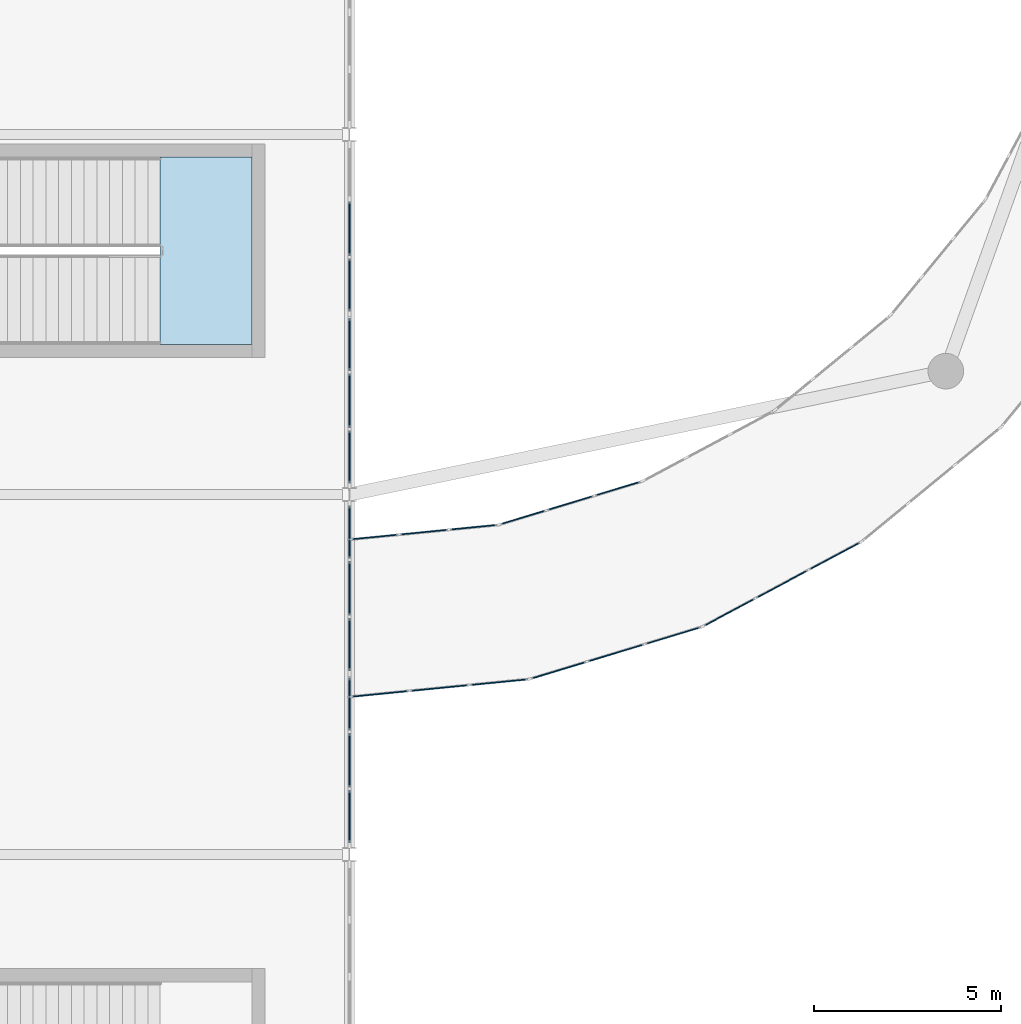
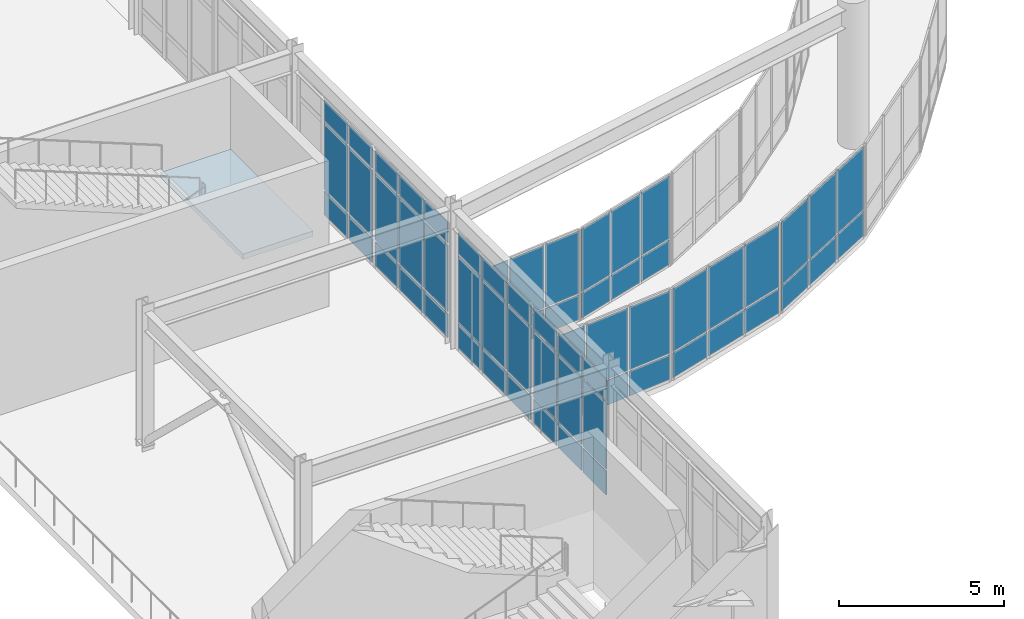
# One storey, part 39 of 72: 63 plates, 1 slab, 10 elements without a shape of their own.
"""IFC4 building model written with IfcOpenShell, lengths in metres."""

from ifc_helpers import new_model, si_unit, direction, frame, origin, origin_2d, place, context, subcontext, project, spatial, polyline, rectangle, outline, extrude, material, layer, layer_set, type_object, element, aggregate, save


model = new_model("IFC4")

# Units and contexts
model_context = context("Model", 3, precision=1e-05, world=origin(), true_north=direction((0.0, 1.0)))
body_context = subcontext(model_context, "Body", "Model", "MODEL_VIEW")
ifc_project = project(units=[si_unit("LENGTHUNIT", "METRE"), si_unit("AREAUNIT", "SQUARE_METRE"), si_unit("VOLUMEUNIT", "CUBIC_METRE"), si_unit("PLANEANGLEUNIT", "RADIAN"), si_unit("MASSUNIT", "GRAM", prefix="KILO")], contexts=[model_context])

# Site, building, storey
site_placement = place(None, origin())
site = spatial("IfcSite", under=ifc_project, at=site_placement, CompositionType="ELEMENT")
building_placement = place(site_placement, origin())
building = spatial("IfcBuilding", under=site, at=building_placement, Name="Veldera Park Congress Hotel", CompositionType="ELEMENT")
storey_placement = place(building_placement, frame((0.0, 0.0, 5.39990234375)))
storey = spatial("IfcBuildingStorey", under=building, at=storey_placement, Name="L01", CompositionType="ELEMENT", Elevation=5.39990234375)

# Curtain wall, plates
ifc_material_1 = material(Name="Low-E Triple Insulating Glass Unit (SHGC 0.22)", Category="glass")
curtain_wall_type_1 = type_object("IfcCurtainWallType", Name="CW-BRG", PredefinedType="NOTDEFINED", material=ifc_material_1)
curtain_wall_1_placement = place(storey_placement, origin())
curtain_wall_1 = element("IfcCurtainWall", 1, at=curtain_wall_1_placement, inside=storey, type_object=curtain_wall_type_1, Name="L01 Curtain Wall CW3-BRGW-L01-A00", PredefinedType="NOTDEFINED")
ifc_layer_1 = layer(ifc_material_1, 0.028076171875)
ifc_layer_set_1 = layer_set([ifc_layer_1], Name="Low-E Triple Insulating Glass Unit (SHGC 0.22)")
plate_type_1 = type_object("IfcPlateType", Name="CWP-IGU28", PredefinedType="CURTAIN_PANEL", material=ifc_layer_set_1)
plate_1_placement = place(storey_placement, frame((-0.78515625, -7.11962890625, 0.06005859375), z_axis=(0.0, 0.0, 1.0), x_axis=(0.995184320963, 0.098021259481, 0.0)))
plate_1 = element("IfcPlate", 2, at=plate_1_placement, type_object=plate_type_1, Name="CW-BRG panel 1.1", PredefinedType="CURTAIN_PANEL", context=body_context, shape_type="SweptSolid", body=[
    extrude(rectangle(XDim=1.517578125, YDim=0.028076171875, at=origin_2d()), origin(), (0.0, 0.0, 1.0), 0.909912109375),
])
plate_2_placement = place(storey_placement, frame((-0.78515625, -7.11962890625, 1.030029296875), z_axis=(0.0, 0.0, 1.0), x_axis=(0.995184320963, 0.098021259481, 0.0)))
plate_2 = element("IfcPlate", 3, at=plate_2_placement, type_object=plate_type_1, Name="CW-BRG panel 1.2", PredefinedType="CURTAIN_PANEL", context=body_context, shape_type="SweptSolid", body=[
    extrude(rectangle(XDim=1.517578125, YDim=0.028076171875, at=origin_2d()), origin(), (0.0, 0.0, 1.0), 2.31005859375),
])
plate_3_placement = place(storey_placement, frame((0.799560546875, -6.963623046875, 0.06005859375), z_axis=(0.0, 0.0, 1.0), x_axis=(0.995184320963, 0.098021259481, 0.0)))
plate_3 = element("IfcPlate", 4, at=plate_3_placement, type_object=plate_type_1, Name="CW-BRG panel 2.1", PredefinedType="CURTAIN_PANEL", context=body_context, shape_type="SweptSolid", body=[
    extrude(rectangle(XDim=1.54736328125, YDim=0.028076171875, at=origin_2d()), origin(), (0.0, 0.0, 1.0), 0.909912109375),
])
plate_4_placement = place(storey_placement, frame((0.799560546875, -6.963623046875, 1.030029296875), z_axis=(0.0, 0.0, 1.0), x_axis=(0.995184320963, 0.098021259481, 0.0)))
plate_4 = element("IfcPlate", 5, at=plate_4_placement, type_object=plate_type_1, Name="CW-BRG panel 2.2", PredefinedType="CURTAIN_PANEL", context=body_context, shape_type="SweptSolid", body=[
    extrude(rectangle(XDim=1.54736328125, YDim=0.028076171875, at=origin_2d()), origin(), (0.0, 0.0, 1.0), 2.31005859375),
])
plate_5_placement = place(storey_placement, frame((2.384521484375, -6.8076171875, 0.06005859375), z_axis=(0.0, 0.0, 1.0), x_axis=(0.995184320963, 0.098021259481, 0.0)))
plate_5 = element("IfcPlate", 6, at=plate_5_placement, type_object=plate_type_1, Name="CW-BRG panel 3.1", PredefinedType="CURTAIN_PANEL", context=body_context, shape_type="SweptSolid", body=[
    extrude(rectangle(XDim=1.517578125, YDim=0.028076171875, at=origin_2d()), origin(), (0.0, 0.0, 1.0), 0.909912109375),
])
plate_6_placement = place(storey_placement, frame((2.384521484375, -6.8076171875, 1.030029296875), z_axis=(0.0, 0.0, 1.0), x_axis=(0.995184320963, 0.098021259481, 0.0)))
plate_6 = element("IfcPlate", 7, at=plate_6_placement, type_object=plate_type_1, Name="CW-BRG panel 3.2", PredefinedType="CURTAIN_PANEL", context=body_context, shape_type="SweptSolid", body=[
    extrude(rectangle(XDim=1.517578125, YDim=0.028076171875, at=origin_2d()), origin(), (0.0, 0.0, 1.0), 2.31005859375),
])
aggregate(curtain_wall_1, [plate_1, plate_2, plate_3, plate_4, plate_5, plate_6])

curtain_wall_2_placement = place(storey_placement, origin())
curtain_wall_2 = element("IfcCurtainWall", 8, at=curtain_wall_2_placement, inside=storey, type_object=curtain_wall_type_1, Name="L01 Curtain Wall CW3-BRGW-L01-A01", PredefinedType="NOTDEFINED")
plate_7_placement = place(storey_placement, frame((3.982666015625, -6.48974609375, 0.06005859375), z_axis=(0.0, 0.0, 1.0), x_axis=(0.956939429957, 0.290287663177, 0.0)))
plate_7 = element("IfcPlate", 9, at=plate_7_placement, type_object=plate_type_1, Name="CW-BRG panel 1.1", PredefinedType="CURTAIN_PANEL", context=body_context, shape_type="SweptSolid", body=[
    extrude(rectangle(XDim=1.517578125, YDim=0.028076171875, at=origin_2d()), origin(), (0.0, 0.0, 1.0), 0.909912109375),
])
plate_8_placement = place(storey_placement, frame((3.982666015625, -6.48974609375, 1.030029296875), z_axis=(0.0, 0.0, 1.0), x_axis=(0.956939429957, 0.290287663177, 0.0)))
plate_8 = element("IfcPlate", 10, at=plate_8_placement, type_object=plate_type_1, Name="CW-BRG panel 1.2", PredefinedType="CURTAIN_PANEL", context=body_context, shape_type="SweptSolid", body=[
    extrude(rectangle(XDim=1.517578125, YDim=0.028076171875, at=origin_2d()), origin(), (0.0, 0.0, 1.0), 2.31005859375),
])
plate_9_placement = place(storey_placement, frame((5.506591796875, -6.02734375, 0.06005859375), z_axis=(0.0, 0.0, 1.0), x_axis=(0.956939429957, 0.290287663177, 0.0)))
plate_9 = element("IfcPlate", 11, at=plate_9_placement, type_object=plate_type_1, Name="CW-BRG panel 2.1", PredefinedType="CURTAIN_PANEL", context=body_context, shape_type="SweptSolid", body=[
    extrude(rectangle(XDim=1.547607421875, YDim=0.028076171875, at=origin_2d()), origin(), (0.0, 0.0, 1.0), 0.909912109375),
])
plate_10_placement = place(storey_placement, frame((5.506591796875, -6.02734375, 1.030029296875), z_axis=(0.0, 0.0, 1.0), x_axis=(0.956939429957, 0.290287663177, 0.0)))
plate_10 = element("IfcPlate", 12, at=plate_10_placement, type_object=plate_type_1, Name="CW-BRG panel 2.2", PredefinedType="CURTAIN_PANEL", context=body_context, shape_type="SweptSolid", body=[
    extrude(rectangle(XDim=1.547607421875, YDim=0.028076171875, at=origin_2d()), origin(), (0.0, 0.0, 1.0), 2.31005859375),
])
plate_11_placement = place(storey_placement, frame((7.030517578125, -5.565185546875, 0.06005859375), z_axis=(0.0, 0.0, 1.0), x_axis=(0.956939429957, 0.290287663177, 0.0)))
plate_11 = element("IfcPlate", 13, at=plate_11_placement, type_object=plate_type_1, Name="CW-BRG panel 3.1", PredefinedType="CURTAIN_PANEL", context=body_context, shape_type="SweptSolid", body=[
    extrude(rectangle(XDim=1.517578125, YDim=0.028076171875, at=origin_2d()), origin(), (0.0, 0.0, 1.0), 0.909912109375),
])
plate_12_placement = place(storey_placement, frame((7.030517578125, -5.565185546875, 1.030029296875), z_axis=(0.0, 0.0, 1.0), x_axis=(0.956939429957, 0.290287663177, 0.0)))
plate_12 = element("IfcPlate", 14, at=plate_12_placement, type_object=plate_type_1, Name="CW-BRG panel 3.2", PredefinedType="CURTAIN_PANEL", context=body_context, shape_type="SweptSolid", body=[
    extrude(rectangle(XDim=1.517578125, YDim=0.028076171875, at=origin_2d()), origin(), (0.0, 0.0, 1.0), 2.31005859375),
])
aggregate(curtain_wall_2, [plate_7, plate_8, plate_9, plate_10, plate_11, plate_12])

curtain_wall_3_placement = place(storey_placement, origin())
curtain_wall_3 = element("IfcCurtainWall", 15, at=curtain_wall_3_placement, inside=storey, type_object=curtain_wall_type_1, Name="L01 Curtain Wall CW3-BRGW-L01-A02", PredefinedType="NOTDEFINED")
plate_13_placement = place(storey_placement, frame((8.5361328125, -4.94140625, 0.06005859375), z_axis=(0.0, 0.0, 1.0), x_axis=(0.881927804203, 0.471384501415, 0.0)))
plate_13 = element("IfcPlate", 16, at=plate_13_placement, type_object=plate_type_1, Name="CW-BRG panel 1.1", PredefinedType="CURTAIN_PANEL", context=body_context, shape_type="SweptSolid", body=[
    extrude(rectangle(XDim=1.517578125, YDim=0.028076171875, at=origin_2d()), origin(), (0.0, 0.0, 1.0), 0.909912109375),
])
plate_14_placement = place(storey_placement, frame((8.5361328125, -4.94140625, 1.030029296875), z_axis=(0.0, 0.0, 1.0), x_axis=(0.881927804203, 0.471384501415, 0.0)))
plate_14 = element("IfcPlate", 17, at=plate_14_placement, type_object=plate_type_1, Name="CW-BRG panel 1.2", PredefinedType="CURTAIN_PANEL", context=body_context, shape_type="SweptSolid", body=[
    extrude(rectangle(XDim=1.517578125, YDim=0.028076171875, at=origin_2d()), origin(), (0.0, 0.0, 1.0), 2.31005859375),
])
plate_15_placement = place(storey_placement, frame((9.9404296875, -4.19091796875, 0.06005859375), z_axis=(0.0, 0.0, 1.0), x_axis=(0.881927804203, 0.471384501415, 0.0)))
plate_15 = element("IfcPlate", 18, at=plate_15_placement, type_object=plate_type_1, Name="CW-BRG panel 2.1", PredefinedType="CURTAIN_PANEL", context=body_context, shape_type="SweptSolid", body=[
    extrude(rectangle(XDim=1.54736328125, YDim=0.028076171875, at=origin_2d()), origin(), (0.0, 0.0, 1.0), 0.909912109375),
])
plate_16_placement = place(storey_placement, frame((9.9404296875, -4.19091796875, 1.030029296875), z_axis=(0.0, 0.0, 1.0), x_axis=(0.881927804203, 0.471384501415, 0.0)))
plate_16 = element("IfcPlate", 19, at=plate_16_placement, type_object=plate_type_1, Name="CW-BRG panel 2.2", PredefinedType="CURTAIN_PANEL", context=body_context, shape_type="SweptSolid", body=[
    extrude(rectangle(XDim=1.54736328125, YDim=0.028076171875, at=origin_2d()), origin(), (0.0, 0.0, 1.0), 2.31005859375),
])
plate_17_placement = place(storey_placement, frame((11.344970703125, -3.440185546875, 0.06005859375), z_axis=(0.0, 0.0, 1.0), x_axis=(0.881927804203, 0.471384501415, 0.0)))
plate_17 = element("IfcPlate", 20, at=plate_17_placement, type_object=plate_type_1, Name="CW-BRG panel 3.1", PredefinedType="CURTAIN_PANEL", context=body_context, shape_type="SweptSolid", body=[
    extrude(rectangle(XDim=1.517578125, YDim=0.028076171875, at=origin_2d()), origin(), (0.0, 0.0, 1.0), 0.909912109375),
])
plate_18_placement = place(storey_placement, frame((11.344970703125, -3.440185546875, 1.030029296875), z_axis=(0.0, 0.0, 1.0), x_axis=(0.881927804203, 0.471384501415, 0.0)))
plate_18 = element("IfcPlate", 21, at=plate_18_placement, type_object=plate_type_1, Name="CW-BRG panel 3.2", PredefinedType="CURTAIN_PANEL", context=body_context, shape_type="SweptSolid", body=[
    extrude(rectangle(XDim=1.517578125, YDim=0.028076171875, at=origin_2d()), origin(), (0.0, 0.0, 1.0), 2.31005859375),
])
aggregate(curtain_wall_3, [plate_13, plate_14, plate_15, plate_16, plate_17, plate_18])

curtain_wall_4_placement = place(storey_placement, origin())
curtain_wall_4 = element("IfcCurtainWall", 22, at=curtain_wall_4_placement, inside=storey, type_object=curtain_wall_type_1, Name="L01 Curtain Wall CW3-BRGW-L01-B15", PredefinedType="NOTDEFINED")
plate_19_placement = place(storey_placement, frame((5.554443359375, -1.64501953125, 0.06005859375), z_axis=(0.0, 0.0, 1.0), x_axis=(-0.956938767513, -0.290289846929, 0.0)))
plate_19 = element("IfcPlate", 23, at=plate_19_placement, type_object=plate_type_1, Name="CW-BRG panel 1.1", PredefinedType="CURTAIN_PANEL", context=body_context, shape_type="SweptSolid", body=[
    extrude(rectangle(XDim=1.242919921875, YDim=0.028076171875, at=origin_2d()), origin(), (0.0, 0.0, 1.0), 0.909912109375),
])
plate_20_placement = place(storey_placement, frame((5.554443359375, -1.64501953125, 1.030029296875), z_axis=(0.0, 0.0, 1.0), x_axis=(-0.956938767513, -0.290289846929, 0.0)))
plate_20 = element("IfcPlate", 24, at=plate_20_placement, type_object=plate_type_1, Name="CW-BRG panel 1.2", PredefinedType="CURTAIN_PANEL", context=body_context, shape_type="SweptSolid", body=[
    extrude(rectangle(XDim=1.242919921875, YDim=0.028076171875, at=origin_2d()), origin(), (0.0, 0.0, 1.0), 2.31005859375),
])
plate_21_placement = place(storey_placement, frame((4.293212890625, -2.027587890625, 0.06005859375), z_axis=(0.0, 0.0, 1.0), x_axis=(-0.956938767513, -0.290289846929, 0.0)))
plate_21 = element("IfcPlate", 25, at=plate_21_placement, type_object=plate_type_1, Name="CW-BRG panel 2.1", PredefinedType="CURTAIN_PANEL", context=body_context, shape_type="SweptSolid", body=[
    extrude(rectangle(XDim=1.27294921875, YDim=0.028076171875, at=origin_2d()), origin(), (0.0, 0.0, 1.0), 0.909912109375),
])
plate_22_placement = place(storey_placement, frame((4.293212890625, -2.027587890625, 1.030029296875), z_axis=(0.0, 0.0, 1.0), x_axis=(-0.956938767513, -0.290289846929, 0.0)))
plate_22 = element("IfcPlate", 26, at=plate_22_placement, type_object=plate_type_1, Name="CW-BRG panel 2.2", PredefinedType="CURTAIN_PANEL", context=body_context, shape_type="SweptSolid", body=[
    extrude(rectangle(XDim=1.27294921875, YDim=0.028076171875, at=origin_2d()), origin(), (0.0, 0.0, 1.0), 2.31005859375),
])
plate_23_placement = place(storey_placement, frame((3.031982421875, -2.41015625, 0.06005859375), z_axis=(0.0, 0.0, 1.0), x_axis=(-0.956938767513, -0.290289846929, 0.0)))
plate_23 = element("IfcPlate", 27, at=plate_23_placement, type_object=plate_type_1, Name="CW-BRG panel 3.1", PredefinedType="CURTAIN_PANEL", context=body_context, shape_type="SweptSolid", body=[
    extrude(rectangle(XDim=1.242919921875, YDim=0.028076171875, at=origin_2d()), origin(), (0.0, 0.0, 1.0), 0.909912109375),
])
plate_24_placement = place(storey_placement, frame((3.031982421875, -2.41015625, 1.030029296875), z_axis=(0.0, 0.0, 1.0), x_axis=(-0.956938767513, -0.290289846929, 0.0)))
plate_24 = element("IfcPlate", 28, at=plate_24_placement, type_object=plate_type_1, Name="CW-BRG panel 3.2", PredefinedType="CURTAIN_PANEL", context=body_context, shape_type="SweptSolid", body=[
    extrude(rectangle(XDim=1.242919921875, YDim=0.028076171875, at=origin_2d()), origin(), (0.0, 0.0, 1.0), 2.31005859375),
])
aggregate(curtain_wall_4, [plate_19, plate_20, plate_21, plate_22, plate_23, plate_24])

curtain_wall_5_placement = place(storey_placement, origin())
curtain_wall_5 = element("IfcCurtainWall", 29, at=curtain_wall_5_placement, inside=storey, type_object=curtain_wall_type_1, Name="L01 Curtain Wall CW3-BRGW-L01-B16", PredefinedType="NOTDEFINED")
plate_25_placement = place(storey_placement, frame((1.70166015625, -2.6748046875, 0.06005859375), z_axis=(0.0, 0.0, 1.0), x_axis=(-0.99518414337, -0.098023062513, 0.0)))
plate_25 = element("IfcPlate", 30, at=plate_25_placement, type_object=plate_type_1, Name="CW-BRG panel 1.1", PredefinedType="CURTAIN_PANEL", context=body_context, shape_type="SweptSolid", body=[
    extrude(rectangle(XDim=1.242919921875, YDim=0.028076171875, at=origin_2d()), origin(), (0.0, 0.0, 1.0), 0.909912109375),
])
plate_26_placement = place(storey_placement, frame((1.70166015625, -2.6748046875, 1.030029296875), z_axis=(0.0, 0.0, 1.0), x_axis=(-0.99518414337, -0.098023062513, 0.0)))
plate_26 = element("IfcPlate", 31, at=plate_26_placement, type_object=plate_type_1, Name="CW-BRG panel 1.2", PredefinedType="CURTAIN_PANEL", context=body_context, shape_type="SweptSolid", body=[
    extrude(rectangle(XDim=1.242919921875, YDim=0.028076171875, at=origin_2d()), origin(), (0.0, 0.0, 1.0), 2.31005859375),
])
plate_27_placement = place(storey_placement, frame((0.389892578125, -2.803955078125, 0.06005859375), z_axis=(0.0, 0.0, 1.0), x_axis=(-0.99518414337, -0.098023062513, 0.0)))
plate_27 = element("IfcPlate", 32, at=plate_27_placement, type_object=plate_type_1, Name="CW-BRG panel 2.1", PredefinedType="CURTAIN_PANEL", context=body_context, shape_type="SweptSolid", body=[
    extrude(rectangle(XDim=1.27294921875, YDim=0.028076171875, at=origin_2d()), origin(), (0.0, 0.0, 1.0), 0.909912109375),
])
plate_28_placement = place(storey_placement, frame((0.389892578125, -2.803955078125, 1.030029296875), z_axis=(0.0, 0.0, 1.0), x_axis=(-0.99518414337, -0.098023062513, 0.0)))
plate_28 = element("IfcPlate", 33, at=plate_28_placement, type_object=plate_type_1, Name="CW-BRG panel 2.2", PredefinedType="CURTAIN_PANEL", context=body_context, shape_type="SweptSolid", body=[
    extrude(rectangle(XDim=1.27294921875, YDim=0.028076171875, at=origin_2d()), origin(), (0.0, 0.0, 1.0), 2.31005859375),
])
plate_29_placement = place(storey_placement, frame((-0.921875, -2.93310546875, 0.06005859375), z_axis=(0.0, 0.0, 1.0), x_axis=(-0.99518414337, -0.098023062513, 0.0)))
plate_29 = element("IfcPlate", 34, at=plate_29_placement, type_object=plate_type_1, Name="CW-BRG panel 3.1", PredefinedType="CURTAIN_PANEL", context=body_context, shape_type="SweptSolid", body=[
    extrude(rectangle(XDim=1.242919921875, YDim=0.028076171875, at=origin_2d()), origin(), (0.0, 0.0, 1.0), 0.909912109375),
])
plate_30_placement = place(storey_placement, frame((-0.921875, -2.93310546875, 1.030029296875), z_axis=(0.0, 0.0, 1.0), x_axis=(-0.99518414337, -0.098023062513, 0.0)))
plate_30 = element("IfcPlate", 35, at=plate_30_placement, type_object=plate_type_1, Name="CW-BRG panel 3.2", PredefinedType="CURTAIN_PANEL", context=body_context, shape_type="SweptSolid", body=[
    extrude(rectangle(XDim=1.242919921875, YDim=0.028076171875, at=origin_2d()), origin(), (0.0, 0.0, 1.0), 2.31005859375),
])
aggregate(curtain_wall_5, [plate_25, plate_26, plate_27, plate_28, plate_29, plate_30])

curtain_wall_type_2 = type_object("IfcCurtainWallType", Name="CW-POD", PredefinedType="NOTDEFINED", material=ifc_material_1)
curtain_wall_6_placement = place(storey_placement, origin())
curtain_wall_6 = element("IfcCurtainWall", 36, at=curtain_wall_6_placement, inside=storey, type_object=curtain_wall_type_2, Name="L01 Curtain Wall CW3-V1E-L01-023", PredefinedType="NOTDEFINED")
ifc_layer_2 = layer(ifc_material_1, 0.035888671875)
ifc_layer_set_2 = layer_set([ifc_layer_2], Name="Low-E Triple Insulating Glass Unit (SHGC 0.22)")
plate_type_2 = type_object("IfcPlateType", Name="CWP-IGU36", PredefinedType="CURTAIN_PANEL", material=ifc_layer_set_2)
plate_31_placement = place(storey_placement, frame((-1.60009765625, -10.394287109375, 0.080078125), z_axis=(0.0, 0.0, 1.0), x_axis=(0.0, 1.0, 0.0)))
plate_31 = element("IfcPlate", 37, at=plate_31_placement, type_object=plate_type_2, Name="CW-POD panel 1.1", PredefinedType="CURTAIN_PANEL", context=body_context, shape_type="SweptSolid", body=[
    extrude(rectangle(XDim=1.399658203125, YDim=0.035888671875, at=origin_2d()), origin(), (0.0, 0.0, 1.0), 0.8798828125),
])
plate_32_placement = place(storey_placement, frame((-1.60009765625, -10.394287109375, 1.0400390625), z_axis=(0.0, 0.0, 1.0), x_axis=(0.0, 1.0, 0.0)))
plate_32 = element("IfcPlate", 38, at=plate_32_placement, type_object=plate_type_2, Name="CW-POD panel 1.2", PredefinedType="CURTAIN_PANEL", context=body_context, shape_type="SweptSolid", body=[
    extrude(rectangle(XDim=1.399658203125, YDim=0.035888671875, at=origin_2d()), origin(), (0.0, 0.0, 1.0), 2.451904296875),
])
plate_33_placement = place(storey_placement, frame((-1.60009765625, -10.394287109375, 3.572265625), z_axis=(0.0, 0.0, 1.0), x_axis=(0.0, 1.0, 0.0)))
plate_33 = element("IfcPlate", 39, at=plate_33_placement, type_object=plate_type_2, Name="CW-POD panel 1.3", PredefinedType="CURTAIN_PANEL", context=body_context, shape_type="SweptSolid", body=[
    extrude(rectangle(XDim=1.399658203125, YDim=0.035888671875, at=origin_2d()), origin(), (0.0, 0.0, 1.0), 0.780029296875),
])
plate_34_placement = place(storey_placement, frame((-1.60009765625, -8.89453125, 0.080078125), z_axis=(0.0, 0.0, 1.0), x_axis=(0.0, 1.0, 0.0)))
plate_34 = element("IfcPlate", 40, at=plate_34_placement, type_object=plate_type_2, Name="CW-POD panel 2.1", PredefinedType="CURTAIN_PANEL", context=body_context, shape_type="SweptSolid", body=[
    extrude(rectangle(XDim=1.439697265625, YDim=0.035888671875, at=origin_2d()), origin(), (0.0, 0.0, 1.0), 0.8798828125),
])
plate_35_placement = place(storey_placement, frame((-1.60009765625, -8.89453125, 1.0400390625), z_axis=(0.0, 0.0, 1.0), x_axis=(0.0, 1.0, 0.0)))
plate_35 = element("IfcPlate", 41, at=plate_35_placement, type_object=plate_type_2, Name="CW-POD panel 2.2", PredefinedType="CURTAIN_PANEL", context=body_context, shape_type="SweptSolid", body=[
    extrude(rectangle(XDim=1.439697265625, YDim=0.035888671875, at=origin_2d()), origin(), (0.0, 0.0, 1.0), 2.451904296875),
])
plate_36_placement = place(storey_placement, frame((-1.60009765625, -8.89453125, 3.572265625), z_axis=(0.0, 0.0, 1.0), x_axis=(0.0, 1.0, 0.0)))
plate_36 = element("IfcPlate", 42, at=plate_36_placement, type_object=plate_type_2, Name="CW-POD panel 2.3", PredefinedType="CURTAIN_PANEL", context=body_context, shape_type="SweptSolid", body=[
    extrude(rectangle(XDim=1.439697265625, YDim=0.035888671875, at=origin_2d()), origin(), (0.0, 0.0, 1.0), 0.780029296875),
])
plate_37_placement = place(storey_placement, frame((-1.60009765625, -7.394775390625, 0.080078125), z_axis=(0.0, 0.0, 1.0), x_axis=(0.0, 1.0, 0.0)))
plate_37 = element("IfcPlate", 43, at=plate_37_placement, type_object=plate_type_2, Name="CW-POD panel 3.1", PredefinedType="CURTAIN_PANEL", context=body_context, shape_type="SweptSolid", body=[
    extrude(rectangle(XDim=1.399658203125, YDim=0.035888671875, at=origin_2d()), origin(), (0.0, 0.0, 1.0), 0.8798828125),
])
plate_38_placement = place(storey_placement, frame((-1.60009765625, -7.394775390625, 1.0400390625), z_axis=(0.0, 0.0, 1.0), x_axis=(0.0, 1.0, 0.0)))
plate_38 = element("IfcPlate", 44, at=plate_38_placement, type_object=plate_type_2, Name="CW-POD panel 3.2", PredefinedType="CURTAIN_PANEL", context=body_context, shape_type="SweptSolid", body=[
    extrude(rectangle(XDim=1.399658203125, YDim=0.035888671875, at=origin_2d()), origin(), (0.0, 0.0, 1.0), 2.451904296875),
])
plate_39_placement = place(storey_placement, frame((-1.60009765625, -7.394775390625, 3.572265625), z_axis=(0.0, 0.0, 1.0), x_axis=(0.0, 1.0, 0.0)))
plate_39 = element("IfcPlate", 45, at=plate_39_placement, type_object=plate_type_2, Name="CW-POD panel 3.3", PredefinedType="CURTAIN_PANEL", context=body_context, shape_type="SweptSolid", body=[
    extrude(rectangle(XDim=1.399658203125, YDim=0.035888671875, at=origin_2d()), origin(), (0.0, 0.0, 1.0), 0.780029296875),
])
aggregate(curtain_wall_6, [plate_31, plate_32, plate_33, plate_34, plate_35, plate_36, plate_37, plate_38, plate_39])

curtain_wall_7_placement = place(storey_placement, origin())
curtain_wall_7 = element("IfcCurtainWall", 46, at=curtain_wall_7_placement, inside=storey, type_object=curtain_wall_type_2, Name="L01 Curtain Wall CW3-V1E-L01-024", PredefinedType="NOTDEFINED")
plate_40_placement = place(storey_placement, frame((-1.60009765625, -5.80517578125, 0.080078125), z_axis=(0.0, 0.0, 1.0), x_axis=(0.0, 1.0, 0.0)))
plate_40 = element("IfcPlate", 47, at=plate_40_placement, type_object=plate_type_2, Name="CW-POD panel 1.1", PredefinedType="CURTAIN_PANEL", context=body_context, shape_type="SweptSolid", body=[
    extrude(rectangle(XDim=1.399658203125, YDim=0.035888671875, at=origin_2d()), origin(), (0.0, 0.0, 1.0), 0.8798828125),
])
plate_41_placement = place(storey_placement, frame((-1.60009765625, -5.80517578125, 1.0400390625), z_axis=(0.0, 0.0, 1.0), x_axis=(0.0, 1.0, 0.0)))
plate_41 = element("IfcPlate", 48, at=plate_41_placement, type_object=plate_type_2, Name="CW-POD panel 1.2", PredefinedType="CURTAIN_PANEL", context=body_context, shape_type="SweptSolid", body=[
    extrude(rectangle(XDim=1.399658203125, YDim=0.035888671875, at=origin_2d()), origin(), (0.0, 0.0, 1.0), 2.451904296875),
])
plate_42_placement = place(storey_placement, frame((-1.60009765625, -5.80517578125, 3.572265625), z_axis=(0.0, 0.0, 1.0), x_axis=(0.0, 1.0, 0.0)))
plate_42 = element("IfcPlate", 49, at=plate_42_placement, type_object=plate_type_2, Name="CW-POD panel 1.3", PredefinedType="CURTAIN_PANEL", context=body_context, shape_type="SweptSolid", body=[
    extrude(rectangle(XDim=1.399658203125, YDim=0.035888671875, at=origin_2d()), origin(), (0.0, 0.0, 1.0), 0.780029296875),
])
plate_43_placement = place(storey_placement, frame((-1.60009765625, -4.305419921875, 0.080078125), z_axis=(0.0, 0.0, 1.0), x_axis=(0.0, 1.0, 0.0)))
plate_43 = element("IfcPlate", 50, at=plate_43_placement, type_object=plate_type_2, Name="CW-POD panel 2.1", PredefinedType="CURTAIN_PANEL", context=body_context, shape_type="SweptSolid", body=[
    extrude(rectangle(XDim=1.439697265625, YDim=0.035888671875, at=origin_2d()), origin(), (0.0, 0.0, 1.0), 0.8798828125),
])
plate_44_placement = place(storey_placement, frame((-1.60009765625, -4.305419921875, 1.0400390625), z_axis=(0.0, 0.0, 1.0), x_axis=(0.0, 1.0, 0.0)))
plate_44 = element("IfcPlate", 51, at=plate_44_placement, type_object=plate_type_2, Name="CW-POD panel 2.2", PredefinedType="CURTAIN_PANEL", context=body_context, shape_type="SweptSolid", body=[
    extrude(rectangle(XDim=1.439697265625, YDim=0.035888671875, at=origin_2d()), origin(), (0.0, 0.0, 1.0), 2.451904296875),
])
plate_45_placement = place(storey_placement, frame((-1.60009765625, -4.305419921875, 3.572265625), z_axis=(0.0, 0.0, 1.0), x_axis=(0.0, 1.0, 0.0)))
plate_45 = element("IfcPlate", 52, at=plate_45_placement, type_object=plate_type_2, Name="CW-POD panel 2.3", PredefinedType="CURTAIN_PANEL", context=body_context, shape_type="SweptSolid", body=[
    extrude(rectangle(XDim=1.439697265625, YDim=0.035888671875, at=origin_2d()), origin(), (0.0, 0.0, 1.0), 0.780029296875),
])
plate_46_placement = place(storey_placement, frame((-1.60009765625, -2.805908203125, 0.080078125), z_axis=(0.0, 0.0, 1.0), x_axis=(0.0, 1.0, 0.0)))
plate_46 = element("IfcPlate", 53, at=plate_46_placement, type_object=plate_type_2, Name="CW-POD panel 3.1", PredefinedType="CURTAIN_PANEL", context=body_context, shape_type="SweptSolid", body=[
    extrude(rectangle(XDim=1.399658203125, YDim=0.035888671875, at=origin_2d()), origin(), (0.0, 0.0, 1.0), 0.8798828125),
])
plate_47_placement = place(storey_placement, frame((-1.60009765625, -2.805908203125, 1.0400390625), z_axis=(0.0, 0.0, 1.0), x_axis=(0.0, 1.0, 0.0)))
plate_47 = element("IfcPlate", 54, at=plate_47_placement, type_object=plate_type_2, Name="CW-POD panel 3.2", PredefinedType="CURTAIN_PANEL", context=body_context, shape_type="SweptSolid", body=[
    extrude(rectangle(XDim=1.399658203125, YDim=0.035888671875, at=origin_2d()), origin(), (0.0, 0.0, 1.0), 2.451904296875),
])
plate_48_placement = place(storey_placement, frame((-1.60009765625, -2.805908203125, 3.572265625), z_axis=(0.0, 0.0, 1.0), x_axis=(0.0, 1.0, 0.0)))
plate_48 = element("IfcPlate", 55, at=plate_48_placement, type_object=plate_type_2, Name="CW-POD panel 3.3", PredefinedType="CURTAIN_PANEL", context=body_context, shape_type="SweptSolid", body=[
    extrude(rectangle(XDim=1.399658203125, YDim=0.035888671875, at=origin_2d()), origin(), (0.0, 0.0, 1.0), 0.780029296875),
])
aggregate(curtain_wall_7, [plate_40, plate_41, plate_42, plate_43, plate_44, plate_45, plate_46, plate_47, plate_48])

curtain_wall_8_placement = place(storey_placement, origin())
curtain_wall_8 = element("IfcCurtainWall", 56, at=curtain_wall_8_placement, inside=storey, type_object=curtain_wall_type_2, Name="L01 Curtain Wall CW3-V1E-L01-025", PredefinedType="NOTDEFINED")
plate_49_placement = place(storey_placement, frame((-1.60009765625, -0.794189453125, 0.080078125), z_axis=(0.0, 0.0, 1.0), x_axis=(0.0, 1.0, 0.0)))
plate_49 = element("IfcPlate", 57, at=plate_49_placement, type_object=plate_type_2, Name="CW-POD panel 1.1", PredefinedType="CURTAIN_PANEL", context=body_context, shape_type="SweptSolid", body=[
    extrude(rectangle(XDim=1.399658203125, YDim=0.035888671875, at=origin_2d()), origin(), (0.0, 0.0, 1.0), 0.8798828125),
])
plate_50_placement = place(storey_placement, frame((-1.60009765625, -0.794189453125, 1.0400390625), z_axis=(0.0, 0.0, 1.0), x_axis=(0.0, 1.0, 0.0)))
plate_50 = element("IfcPlate", 58, at=plate_50_placement, type_object=plate_type_2, Name="CW-POD panel 1.2", PredefinedType="CURTAIN_PANEL", context=body_context, shape_type="SweptSolid", body=[
    extrude(rectangle(XDim=1.399658203125, YDim=0.035888671875, at=origin_2d()), origin(), (0.0, 0.0, 1.0), 2.451904296875),
])
plate_51_placement = place(storey_placement, frame((-1.60009765625, -0.794189453125, 3.572265625), z_axis=(0.0, 0.0, 1.0), x_axis=(0.0, 1.0, 0.0)))
plate_51 = element("IfcPlate", 59, at=plate_51_placement, type_object=plate_type_2, Name="CW-POD panel 1.3", PredefinedType="CURTAIN_PANEL", context=body_context, shape_type="SweptSolid", body=[
    extrude(rectangle(XDim=1.399658203125, YDim=0.035888671875, at=origin_2d()), origin(), (0.0, 0.0, 1.0), 0.780029296875),
])
plate_52_placement = place(storey_placement, frame((-1.60009765625, 0.70556640625, 0.080078125), z_axis=(0.0, 0.0, 1.0), x_axis=(0.0, 1.0, 0.0)))
plate_52 = element("IfcPlate", 60, at=plate_52_placement, type_object=plate_type_2, Name="CW-POD panel 2.1", PredefinedType="CURTAIN_PANEL", context=body_context, shape_type="SweptSolid", body=[
    extrude(rectangle(XDim=1.439697265625, YDim=0.035888671875, at=origin_2d()), origin(), (0.0, 0.0, 1.0), 0.8798828125),
])
plate_53_placement = place(storey_placement, frame((-1.60009765625, 0.70556640625, 1.0400390625), z_axis=(0.0, 0.0, 1.0), x_axis=(0.0, 1.0, 0.0)))
plate_53 = element("IfcPlate", 61, at=plate_53_placement, type_object=plate_type_2, Name="CW-POD panel 2.2", PredefinedType="CURTAIN_PANEL", context=body_context, shape_type="SweptSolid", body=[
    extrude(rectangle(XDim=1.439697265625, YDim=0.035888671875, at=origin_2d()), origin(), (0.0, 0.0, 1.0), 2.451904296875),
])
plate_54_placement = place(storey_placement, frame((-1.60009765625, 0.70556640625, 3.572265625), z_axis=(0.0, 0.0, 1.0), x_axis=(0.0, 1.0, 0.0)))
plate_54 = element("IfcPlate", 62, at=plate_54_placement, type_object=plate_type_2, Name="CW-POD panel 2.3", PredefinedType="CURTAIN_PANEL", context=body_context, shape_type="SweptSolid", body=[
    extrude(rectangle(XDim=1.439697265625, YDim=0.035888671875, at=origin_2d()), origin(), (0.0, 0.0, 1.0), 0.780029296875),
])
plate_55_placement = place(storey_placement, frame((-1.60009765625, 2.205078125, 0.080078125), z_axis=(0.0, 0.0, 1.0), x_axis=(0.0, 1.0, 0.0)))
plate_55 = element("IfcPlate", 63, at=plate_55_placement, type_object=plate_type_2, Name="CW-POD panel 3.1", PredefinedType="CURTAIN_PANEL", context=body_context, shape_type="SweptSolid", body=[
    extrude(rectangle(XDim=1.399658203125, YDim=0.035888671875, at=origin_2d()), origin(), (0.0, 0.0, 1.0), 0.8798828125),
])
plate_56_placement = place(storey_placement, frame((-1.60009765625, 2.205078125, 1.0400390625), z_axis=(0.0, 0.0, 1.0), x_axis=(0.0, 1.0, 0.0)))
plate_56 = element("IfcPlate", 64, at=plate_56_placement, type_object=plate_type_2, Name="CW-POD panel 3.2", PredefinedType="CURTAIN_PANEL", context=body_context, shape_type="SweptSolid", body=[
    extrude(rectangle(XDim=1.399658203125, YDim=0.035888671875, at=origin_2d()), origin(), (0.0, 0.0, 1.0), 2.451904296875),
])
plate_57_placement = place(storey_placement, frame((-1.60009765625, 2.205078125, 3.572265625), z_axis=(0.0, 0.0, 1.0), x_axis=(0.0, 1.0, 0.0)))
plate_57 = element("IfcPlate", 65, at=plate_57_placement, type_object=plate_type_2, Name="CW-POD panel 3.3", PredefinedType="CURTAIN_PANEL", context=body_context, shape_type="SweptSolid", body=[
    extrude(rectangle(XDim=1.399658203125, YDim=0.035888671875, at=origin_2d()), origin(), (0.0, 0.0, 1.0), 0.780029296875),
])
aggregate(curtain_wall_8, [plate_49, plate_50, plate_51, plate_52, plate_53, plate_54, plate_55, plate_56, plate_57])

curtain_wall_9_placement = place(storey_placement, origin())
curtain_wall_9 = element("IfcCurtainWall", 66, at=curtain_wall_9_placement, inside=storey, type_object=curtain_wall_type_2, Name="L01 Curtain Wall CW3-V1E-L01-026", PredefinedType="NOTDEFINED")
plate_58_placement = place(storey_placement, frame((-1.60009765625, 3.794921875, 0.080078125), z_axis=(0.0, 0.0, 1.0), x_axis=(0.0, 1.0, 0.0)))
plate_58 = element("IfcPlate", 67, at=plate_58_placement, type_object=plate_type_2, Name="CW-POD panel 1.1", PredefinedType="CURTAIN_PANEL", context=body_context, shape_type="SweptSolid", body=[
    extrude(rectangle(XDim=1.399658203125, YDim=0.035888671875, at=origin_2d()), origin(), (0.0, 0.0, 1.0), 0.8798828125),
])
plate_59_placement = place(storey_placement, frame((-1.60009765625, 3.794921875, 1.0400390625), z_axis=(0.0, 0.0, 1.0), x_axis=(0.0, 1.0, 0.0)))
plate_59 = element("IfcPlate", 68, at=plate_59_placement, type_object=plate_type_2, Name="CW-POD panel 1.2", PredefinedType="CURTAIN_PANEL", context=body_context, shape_type="SweptSolid", body=[
    extrude(rectangle(XDim=1.399658203125, YDim=0.035888671875, at=origin_2d()), origin(), (0.0, 0.0, 1.0), 2.451904296875),
])
plate_60_placement = place(storey_placement, frame((-1.60009765625, 3.794921875, 3.572265625), z_axis=(0.0, 0.0, 1.0), x_axis=(0.0, 1.0, 0.0)))
plate_60 = element("IfcPlate", 69, at=plate_60_placement, type_object=plate_type_2, Name="CW-POD panel 1.3", PredefinedType="CURTAIN_PANEL", context=body_context, shape_type="SweptSolid", body=[
    extrude(rectangle(XDim=1.399658203125, YDim=0.035888671875, at=origin_2d()), origin(), (0.0, 0.0, 1.0), 0.780029296875),
])
plate_61_placement = place(storey_placement, frame((-1.60009765625, 5.29443359375, 0.080078125), z_axis=(0.0, 0.0, 1.0), x_axis=(0.0, 1.0, 0.0)))
plate_61 = element("IfcPlate", 70, at=plate_61_placement, type_object=plate_type_2, Name="CW-POD panel 2.1", PredefinedType="CURTAIN_PANEL", context=body_context, shape_type="SweptSolid", body=[
    extrude(rectangle(XDim=1.439697265625, YDim=0.035888671875, at=origin_2d()), origin(), (0.0, 0.0, 1.0), 0.8798828125),
])
plate_62_placement = place(storey_placement, frame((-1.60009765625, 5.29443359375, 1.0400390625), z_axis=(0.0, 0.0, 1.0), x_axis=(0.0, 1.0, 0.0)))
plate_62 = element("IfcPlate", 71, at=plate_62_placement, type_object=plate_type_2, Name="CW-POD panel 2.2", PredefinedType="CURTAIN_PANEL", context=body_context, shape_type="SweptSolid", body=[
    extrude(rectangle(XDim=1.439697265625, YDim=0.035888671875, at=origin_2d()), origin(), (0.0, 0.0, 1.0), 2.451904296875),
])
plate_63_placement = place(storey_placement, frame((-1.60009765625, 5.29443359375, 3.572265625), z_axis=(0.0, 0.0, 1.0), x_axis=(0.0, 1.0, 0.0)))
plate_63 = element("IfcPlate", 72, at=plate_63_placement, type_object=plate_type_2, Name="CW-POD panel 2.3", PredefinedType="CURTAIN_PANEL", context=body_context, shape_type="SweptSolid", body=[
    extrude(rectangle(XDim=1.439697265625, YDim=0.035888671875, at=origin_2d()), origin(), (0.0, 0.0, 1.0), 0.780029296875),
])
aggregate(curtain_wall_9, [plate_58, plate_59, plate_60, plate_61, plate_62, plate_63])

# Stair, slab
ifc_material_2 = material(Name="Concrete f'c 40 MPa (5,800 psi)", Category="concrete")
stair_type = type_object("IfcStairType", Name="ST9", PredefinedType="HALF_TURN_STAIR", material=ifc_material_2)
stair_placement = place(storey_placement, origin())
stair = element("IfcStair", 73, at=stair_placement, inside=storey, type_object=stair_type, Name="L01 Monumental Foyer Stair ST9", PredefinedType="HALF_TURN_STAIR")
ifc_layer_3 = layer(ifc_material_2, 0.199951171875)
ifc_layer_set_3 = layer_set([ifc_layer_3], Name="Concrete f'c 40 MPa (5,800 psi)")
slab_type = type_object("IfcSlabType", Name="SLD-ST9", PredefinedType="LANDING", material=ifc_layer_set_3)
slab_placement = place(storey_placement, frame((0.0, 0.0, 2.5)))
slab = element("IfcSlab", 74, at=slab_placement, type_object=slab_type, Name="ST9 landing 1", PredefinedType="LANDING", context=body_context, shape_type="SweptSolid", body=[
    extrude(outline(polyline([(-6.655029296875, 2.199951171875), (-4.199951171875, 2.199951171875), (-4.199951171875, 7.199951171875), (-6.655029296875, 7.199951171875), (-6.655029296875, 2.199951171875)])), origin(), (0.0, 0.0, 1.0), 0.2001953125),
])
aggregate(stair, [slab])

save(model, "model.ifc")
